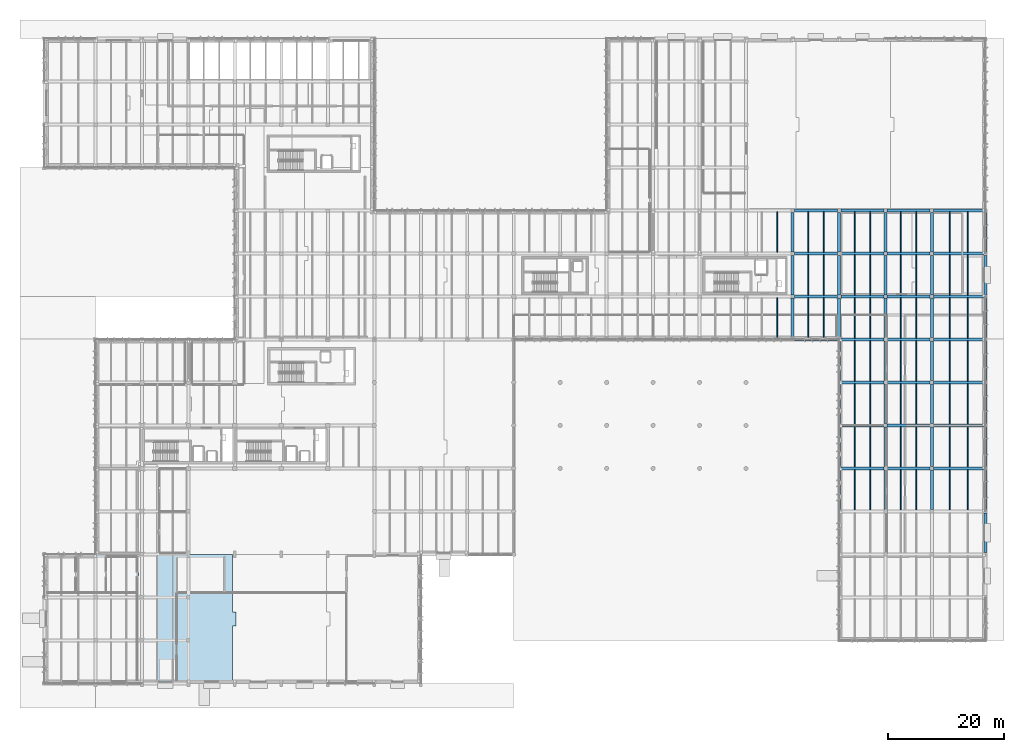
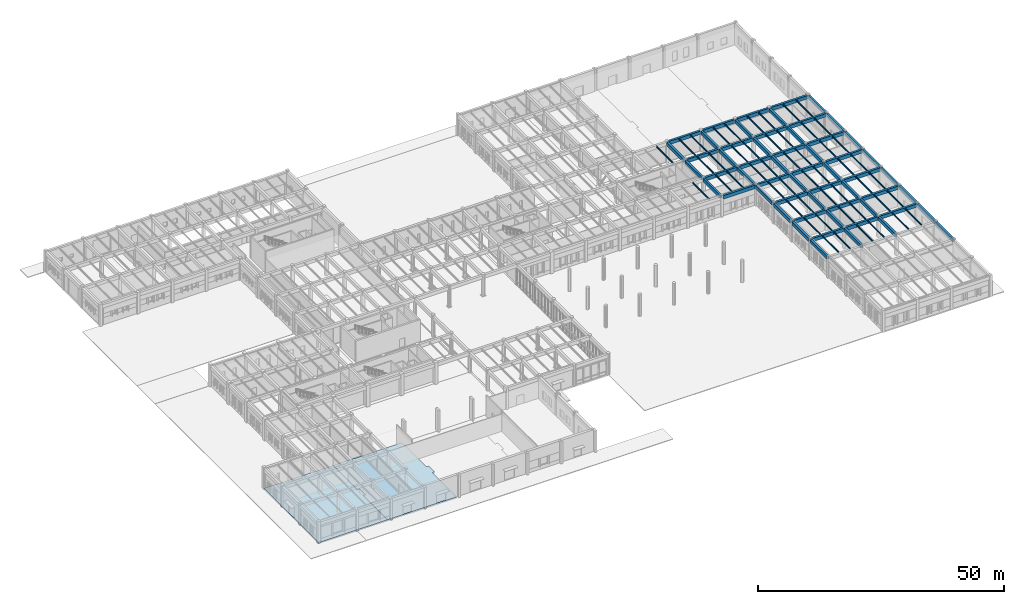
# One storey, part 10 of 56: 107 beams, 2 slabs.
"""IFC4 building model written with IfcOpenShell, lengths in metres."""

from ifc_helpers import new_model, si_unit, direction, frame, origin, origin_2d, place, context, subcontext, project, spatial, polyline, rectangle, i_section, outline, extrude, material, layer, layer_set, material_profile, profile_set, type_object, element, save


model = new_model("IFC4")

# Units and contexts
model_context = context("Model", 3, precision=1e-05, world=origin(), true_north=direction((0.0, 1.0)))
body_context = subcontext(model_context, "Body", "Model", "MODEL_VIEW")
ifc_project = project(units=[si_unit("LENGTHUNIT", "METRE"), si_unit("AREAUNIT", "SQUARE_METRE"), si_unit("VOLUMEUNIT", "CUBIC_METRE"), si_unit("PLANEANGLEUNIT", "RADIAN"), si_unit("MASSUNIT", "GRAM", prefix="KILO")], contexts=[model_context])

# Site, building, storey
site_placement = place(None, origin())
site = spatial("IfcSite", under=ifc_project, at=site_placement, CompositionType="ELEMENT")
building_placement = place(site_placement, origin())
building = spatial("IfcBuilding", under=site, at=building_placement, Name="Valkorina Park Police Headquarters", CompositionType="ELEMENT")
storey_placement = place(building_placement, origin())
storey = spatial("IfcBuildingStorey", under=building, at=storey_placement, Name="L01", CompositionType="ELEMENT", Elevation=0.0)

# Beams
ifc_material_1 = material(Name="Concrete C40/50", Category="concrete")
ifc_material_profile_1 = material_profile(ifc_material_1, rectangle(XDim=0.5, YDim=0.85009765625, at=origin_2d()), Name="RC BEAM 500x850")
ifc_profile_set_1 = profile_set([ifc_material_profile_1], Name="Concrete C40/50")
beam_type_1 = type_object("IfcBeamType", Name="BM-RC-500x850-EXT", PredefinedType="SPANDREL", material=ifc_profile_set_1)
for number, where, z_axis, x_axis, name in (
    (1, (129.10009765625, 59.199951171875, 4.715087890625), (1.0, 0.0, 0.0), (0.0, 1.0, 0.0), "L01 Framing Beam 0778"),
    (2, (129.10009765625, 81.39990234375, 4.715087890625), (1.0, 0.0, 0.0), (0.0, 1.0, 0.0), "L01 Framing Beam 0826"),
    (3, (137.10009765625, 81.39990234375, 4.715087890625), (1.0, 0.0, 0.0), (0.0, 1.0, 0.0), "L01 Framing Beam 0827"),
    (4, (145.10009765625, 81.39990234375, 4.72998046875), (1.0, 0.0, 0.0), (0.0, 1.0, 0.0), "L01 Framing Beam 0828"),
):
    element("IfcBeam", number, at=place(storey_placement, frame(where, z_axis=z_axis, x_axis=x_axis)), inside=storey, type_object=beam_type_1, Name=name, PredefinedType="SPANDREL", context=body_context, shape_type="SweptSolid", body=[
        extrude(rectangle(XDim=0.5, YDim=0.85009765625, at=origin_2d()), origin(), (0.0, 0.0, 1.0), 7.39990234375),
    ])
beam_1_placement = place(storey_placement, frame((153.10009765625, 81.39990234375, 4.72998046875), z_axis=(1.0, 0.0, 0.0), x_axis=(0.0, 1.0, 0.0)))
element("IfcBeam", 5, at=beam_1_placement, inside=storey, type_object=beam_type_1, Name="L01 Framing Beam 0829", PredefinedType="SPANDREL", context=body_context, shape_type="SweptSolid", body=[
    extrude(rectangle(XDim=0.5, YDim=0.85009765625, at=origin_2d()), origin(), (0.0, 0.0, 1.0), 8.599853515625),
])
for number, where, z_axis, x_axis, name in (
    (6, (136.800048828125, 29.89990234375, 4.72998046875), (0.0, 1.0, 0.0), (-1.0, 0.0, 0.0), "L01 Framing Beam 1181"),
    (7, (136.800048828125, 37.300048828125, 4.72998046875), (0.0, 1.0, 0.0), (-1.0, 0.0, 0.0), "L01 Framing Beam 1184"),
    (8, (136.800048828125, 44.699951171875, 4.72998046875), (0.0, 1.0, 0.0), (-1.0, 0.0, 0.0), "L01 Framing Beam 1187"),
):
    element("IfcBeam", number, at=place(storey_placement, frame(where, z_axis=z_axis, x_axis=x_axis)), inside=storey, type_object=beam_type_1, Name=name, PredefinedType="SPANDREL", context=body_context, shape_type="SweptSolid", body=[
        extrude(rectangle(XDim=0.5, YDim=0.85009765625, at=origin_2d()), origin(), (0.0, 0.0, 1.0), 6.800048828125),
    ])
beam_2_placement = place(storey_placement, frame((136.800048828125, 52.10009765625, 4.715087890625), z_axis=(0.0, 1.0, 0.0), x_axis=(-1.0, 0.0, 0.0)))
element("IfcBeam", 9, at=beam_2_placement, inside=storey, type_object=beam_type_1, Name="L01 Framing Beam 1190", PredefinedType="SPANDREL", context=body_context, shape_type="SweptSolid", body=[
    extrude(rectangle(XDim=0.5, YDim=0.85009765625, at=origin_2d()), origin(), (0.0, 0.0, 1.0), 6.7998046875),
])
for number, where, z_axis, x_axis, name in (
    (10, (162.0, 22.5, 4.72998046875), (0.0, 1.0, 0.0), (-1.0, 0.0, 0.0), "L01 Framing Beam 1241"),
    (11, (162.0, 29.89990234375, 4.72998046875), (0.0, 1.0, 0.0), (-1.0, 0.0, 0.0), "L01 Framing Beam 1245"),
    (12, (162.0, 37.300048828125, 4.72998046875), (0.0, 1.0, 0.0), (-1.0, 0.0, 0.0), "L01 Framing Beam 1249"),
    (13, (162.0, 44.699951171875, 4.72998046875), (0.0, 1.0, 0.0), (-1.0, 0.0, 0.0), "L01 Framing Beam 1253"),
):
    element("IfcBeam", number, at=place(storey_placement, frame(where, z_axis=z_axis, x_axis=x_axis)), inside=storey, type_object=beam_type_1, Name=name, PredefinedType="SPANDREL", context=body_context, shape_type="SweptSolid", body=[
        extrude(rectangle(XDim=0.5, YDim=0.85009765625, at=origin_2d()), origin(), (0.0, 0.0, 1.0), 6.800048828125),
    ])
beam_3_placement = place(storey_placement, frame((162.0, 52.10009765625, 4.72998046875), z_axis=(0.0, 1.0, 0.0), x_axis=(-1.0, 0.0, 0.0)))
element("IfcBeam", 14, at=beam_3_placement, inside=storey, type_object=beam_type_1, Name="L01 Framing Beam 1257", PredefinedType="SPANDREL", context=body_context, shape_type="SweptSolid", body=[
    extrude(rectangle(XDim=0.5, YDim=0.85009765625, at=origin_2d()), origin(), (0.0, 0.0, 1.0), 6.7998046875),
])
for number, where, z_axis, x_axis, name in (
    (15, (162.0, 59.5, 4.72998046875), (0.0, 1.0, 0.0), (-1.0, 0.0, 0.0), "L01 Framing Beam 1261"),
    (16, (162.0, 66.89990234375, 4.72998046875), (0.0, 1.0, 0.0), (-1.0, 0.0, 0.0), "L01 Framing Beam 1265"),
    (17, (162.0, 74.300048828125, 4.72998046875), (0.0, 1.0, 0.0), (-1.0, 0.0, 0.0), "L01 Framing Beam 1269"),
):
    element("IfcBeam", number, at=place(storey_placement, frame(where, z_axis=z_axis, x_axis=x_axis)), inside=storey, type_object=beam_type_1, Name=name, PredefinedType="SPANDREL", context=body_context, shape_type="SweptSolid", body=[
        extrude(rectangle(XDim=0.5, YDim=0.85009765625, at=origin_2d()), origin(), (0.0, 0.0, 1.0), 6.800048828125),
    ])
ifc_material_profile_2 = material_profile(ifc_material_1, rectangle(XDim=0.5, YDim=0.85009765625, at=origin_2d()), Name="RC BEAM 500x850")
ifc_profile_set_2 = profile_set([ifc_material_profile_2], Name="Concrete C40/50")
beam_type_2 = type_object("IfcBeamType", Name="BM-RC-500x850-INT", PredefinedType="BEAM", material=ifc_profile_set_2)
for number, where, z_axis, x_axis, name in (
    (18, (137.10009765625, 37.0, 4.72998046875), (1.0, 0.0, 0.0), (0.0, 1.0, 0.0), "L01 Framing Beam 0745"),
    (19, (145.10009765625, 37.0, 4.72998046875), (1.0, 0.0, 0.0), (0.0, 1.0, 0.0), "L01 Framing Beam 0746"),
):
    element("IfcBeam", number, at=place(storey_placement, frame(where, z_axis=z_axis, x_axis=x_axis)), inside=storey, type_object=beam_type_2, Name=name, PredefinedType="BEAM", context=body_context, shape_type="SweptSolid", body=[
        extrude(rectangle(XDim=0.5, YDim=0.85009765625, at=origin_2d()), origin(), (0.0, 0.0, 1.0), 7.39990234375),
    ])
beam_4_placement = place(storey_placement, frame((153.10009765625, 37.0, 4.72998046875), z_axis=(1.0, 0.0, 0.0), x_axis=(0.0, 1.0, 0.0)))
element("IfcBeam", 20, at=beam_4_placement, inside=storey, type_object=beam_type_2, Name="L01 Framing Beam 0747", PredefinedType="BEAM", context=body_context, shape_type="SweptSolid", body=[
    extrude(rectangle(XDim=0.5, YDim=0.85009765625, at=origin_2d()), origin(), (0.0, 0.0, 1.0), 8.599853515625),
])
for number, where, z_axis, x_axis, name in (
    (21, (137.10009765625, 44.39990234375, 4.72998046875), (1.0, 0.0, 0.0), (0.0, 1.0, 0.0), "L01 Framing Beam 0754"),
    (22, (145.10009765625, 44.39990234375, 4.72998046875), (1.0, 0.0, 0.0), (0.0, 1.0, 0.0), "L01 Framing Beam 0755"),
):
    element("IfcBeam", number, at=place(storey_placement, frame(where, z_axis=z_axis, x_axis=x_axis)), inside=storey, type_object=beam_type_2, Name=name, PredefinedType="BEAM", context=body_context, shape_type="SweptSolid", body=[
        extrude(rectangle(XDim=0.5, YDim=0.85009765625, at=origin_2d()), origin(), (0.0, 0.0, 1.0), 7.39990234375),
    ])
beam_5_placement = place(storey_placement, frame((153.10009765625, 44.39990234375, 4.72998046875), z_axis=(1.0, 0.0, 0.0), x_axis=(0.0, 1.0, 0.0)))
element("IfcBeam", 23, at=beam_5_placement, inside=storey, type_object=beam_type_2, Name="L01 Framing Beam 0756", PredefinedType="BEAM", context=body_context, shape_type="SweptSolid", body=[
    extrude(rectangle(XDim=0.5, YDim=0.85009765625, at=origin_2d()), origin(), (0.0, 0.0, 1.0), 8.599853515625),
])
for number, where, z_axis, x_axis, name in (
    (24, (137.10009765625, 51.800048828125, 4.72998046875), (1.0, 0.0, 0.0), (0.0, 1.0, 0.0), "L01 Framing Beam 0760"),
    (25, (145.10009765625, 51.800048828125, 4.72998046875), (1.0, 0.0, 0.0), (0.0, 1.0, 0.0), "L01 Framing Beam 0761"),
):
    element("IfcBeam", number, at=place(storey_placement, frame(where, z_axis=z_axis, x_axis=x_axis)), inside=storey, type_object=beam_type_2, Name=name, PredefinedType="BEAM", context=body_context, shape_type="SweptSolid", body=[
        extrude(rectangle(XDim=0.5, YDim=0.85009765625, at=origin_2d()), origin(), (0.0, 0.0, 1.0), 7.39990234375),
    ])
beam_6_placement = place(storey_placement, frame((153.10009765625, 51.800048828125, 4.72998046875), z_axis=(1.0, 0.0, 0.0), x_axis=(0.0, 1.0, 0.0)))
element("IfcBeam", 26, at=beam_6_placement, inside=storey, type_object=beam_type_2, Name="L01 Framing Beam 0762", PredefinedType="BEAM", context=body_context, shape_type="SweptSolid", body=[
    extrude(rectangle(XDim=0.5, YDim=0.85009765625, at=origin_2d()), origin(), (0.0, 0.0, 1.0), 8.599853515625),
])
for number, where, z_axis, x_axis, name in (
    (27, (137.10009765625, 59.199951171875, 4.715087890625), (1.0, 0.0, 0.0), (0.0, 1.0, 0.0), "L01 Framing Beam 0779"),
    (28, (145.10009765625, 59.199951171875, 4.72998046875), (1.0, 0.0, 0.0), (0.0, 1.0, 0.0), "L01 Framing Beam 0780"),
):
    element("IfcBeam", number, at=place(storey_placement, frame(where, z_axis=z_axis, x_axis=x_axis)), inside=storey, type_object=beam_type_2, Name=name, PredefinedType="BEAM", context=body_context, shape_type="SweptSolid", body=[
        extrude(rectangle(XDim=0.5, YDim=0.85009765625, at=origin_2d()), origin(), (0.0, 0.0, 1.0), 7.39990234375),
    ])
beam_7_placement = place(storey_placement, frame((153.10009765625, 59.199951171875, 4.72998046875), z_axis=(1.0, 0.0, 0.0), x_axis=(0.0, 1.0, 0.0)))
element("IfcBeam", 29, at=beam_7_placement, inside=storey, type_object=beam_type_2, Name="L01 Framing Beam 0781", PredefinedType="BEAM", context=body_context, shape_type="SweptSolid", body=[
    extrude(rectangle(XDim=0.5, YDim=0.85009765625, at=origin_2d()), origin(), (0.0, 0.0, 1.0), 8.599853515625),
])
for number, where, z_axis, x_axis, name in (
    (30, (129.10009765625, 66.60009765625, 4.715087890625), (1.0, 0.0, 0.0), (0.0, 1.0, 0.0), "L01 Framing Beam 0794"),
    (31, (137.10009765625, 66.60009765625, 4.715087890625), (1.0, 0.0, 0.0), (0.0, 1.0, 0.0), "L01 Framing Beam 0795"),
    (32, (145.10009765625, 66.60009765625, 4.72998046875), (1.0, 0.0, 0.0), (0.0, 1.0, 0.0), "L01 Framing Beam 0796"),
):
    element("IfcBeam", number, at=place(storey_placement, frame(where, z_axis=z_axis, x_axis=x_axis)), inside=storey, type_object=beam_type_2, Name=name, PredefinedType="BEAM", context=body_context, shape_type="SweptSolid", body=[
        extrude(rectangle(XDim=0.5, YDim=0.85009765625, at=origin_2d()), origin(), (0.0, 0.0, 1.0), 7.39990234375),
    ])
beam_8_placement = place(storey_placement, frame((153.10009765625, 66.60009765625, 4.72998046875), z_axis=(1.0, 0.0, 0.0), x_axis=(0.0, 1.0, 0.0)))
element("IfcBeam", 33, at=beam_8_placement, inside=storey, type_object=beam_type_2, Name="L01 Framing Beam 0797", PredefinedType="BEAM", context=body_context, shape_type="SweptSolid", body=[
    extrude(rectangle(XDim=0.5, YDim=0.85009765625, at=origin_2d()), origin(), (0.0, 0.0, 1.0), 8.599853515625),
])
for number, where, z_axis, x_axis, name in (
    (34, (129.10009765625, 74.0, 4.715087890625), (1.0, 0.0, 0.0), (0.0, 1.0, 0.0), "L01 Framing Beam 0810"),
    (35, (137.10009765625, 74.0, 4.715087890625), (1.0, 0.0, 0.0), (0.0, 1.0, 0.0), "L01 Framing Beam 0811"),
    (36, (145.10009765625, 74.0, 4.72998046875), (1.0, 0.0, 0.0), (0.0, 1.0, 0.0), "L01 Framing Beam 0812"),
):
    element("IfcBeam", number, at=place(storey_placement, frame(where, z_axis=z_axis, x_axis=x_axis)), inside=storey, type_object=beam_type_2, Name=name, PredefinedType="BEAM", context=body_context, shape_type="SweptSolid", body=[
        extrude(rectangle(XDim=0.5, YDim=0.85009765625, at=origin_2d()), origin(), (0.0, 0.0, 1.0), 7.39990234375),
    ])
beam_9_placement = place(storey_placement, frame((153.10009765625, 74.0, 4.72998046875), z_axis=(1.0, 0.0, 0.0), x_axis=(0.0, 1.0, 0.0)))
element("IfcBeam", 37, at=beam_9_placement, inside=storey, type_object=beam_type_2, Name="L01 Framing Beam 0813", PredefinedType="BEAM", context=body_context, shape_type="SweptSolid", body=[
    extrude(rectangle(XDim=0.5, YDim=0.85009765625, at=origin_2d()), origin(), (0.0, 0.0, 1.0), 8.599853515625),
])
for number, where, z_axis, x_axis, name in (
    (38, (128.800048828125, 59.5, 4.715087890625), (0.0, 1.0, 0.0), (-1.0, 0.0, 0.0), "L01 Framing Beam 1163"),
    (39, (128.800048828125, 66.89990234375, 4.715087890625), (0.0, 1.0, 0.0), (-1.0, 0.0, 0.0), "L01 Framing Beam 1166"),
    (40, (128.800048828125, 74.300048828125, 4.715087890625), (0.0, 1.0, 0.0), (-1.0, 0.0, 0.0), "L01 Framing Beam 1169"),
    (41, (136.800048828125, 59.5, 4.715087890625), (0.0, 1.0, 0.0), (-1.0, 0.0, 0.0), "L01 Framing Beam 1193"),
    (42, (136.800048828125, 66.89990234375, 4.715087890625), (0.0, 1.0, 0.0), (-1.0, 0.0, 0.0), "L01 Framing Beam 1196"),
    (43, (136.800048828125, 74.300048828125, 4.715087890625), (0.0, 1.0, 0.0), (-1.0, 0.0, 0.0), "L01 Framing Beam 1199"),
    (44, (144.800048828125, 29.89990234375, 4.72998046875), (0.0, 1.0, 0.0), (-1.0, 0.0, 0.0), "L01 Framing Beam 1211"),
    (45, (144.800048828125, 37.300048828125, 4.72998046875), (0.0, 1.0, 0.0), (-1.0, 0.0, 0.0), "L01 Framing Beam 1214"),
    (46, (144.800048828125, 44.699951171875, 4.72998046875), (0.0, 1.0, 0.0), (-1.0, 0.0, 0.0), "L01 Framing Beam 1217"),
):
    element("IfcBeam", number, at=place(storey_placement, frame(where, z_axis=z_axis, x_axis=x_axis)), inside=storey, type_object=beam_type_2, Name=name, PredefinedType="BEAM", context=body_context, shape_type="SweptSolid", body=[
        extrude(rectangle(XDim=0.5, YDim=0.85009765625, at=origin_2d()), origin(), (0.0, 0.0, 1.0), 6.800048828125),
    ])
beam_10_placement = place(storey_placement, frame((144.800048828125, 52.10009765625, 4.72998046875), z_axis=(0.0, 1.0, 0.0), x_axis=(-1.0, 0.0, 0.0)))
element("IfcBeam", 47, at=beam_10_placement, inside=storey, type_object=beam_type_2, Name="L01 Framing Beam 1220", PredefinedType="BEAM", context=body_context, shape_type="SweptSolid", body=[
    extrude(rectangle(XDim=0.5, YDim=0.85009765625, at=origin_2d()), origin(), (0.0, 0.0, 1.0), 6.7998046875),
])
for number, where, z_axis, x_axis, name in (
    (48, (144.800048828125, 59.5, 4.72998046875), (0.0, 1.0, 0.0), (-1.0, 0.0, 0.0), "L01 Framing Beam 1223"),
    (49, (144.800048828125, 66.89990234375, 4.72998046875), (0.0, 1.0, 0.0), (-1.0, 0.0, 0.0), "L01 Framing Beam 1226"),
    (50, (144.800048828125, 74.300048828125, 4.72998046875), (0.0, 1.0, 0.0), (-1.0, 0.0, 0.0), "L01 Framing Beam 1229"),
    (51, (152.800048828125, 29.89990234375, 4.72998046875), (0.0, 1.0, 0.0), (-1.0, 0.0, 0.0), "L01 Framing Beam 1244"),
    (52, (152.800048828125, 37.300048828125, 4.72998046875), (0.0, 1.0, 0.0), (-1.0, 0.0, 0.0), "L01 Framing Beam 1248"),
    (53, (152.800048828125, 44.699951171875, 4.72998046875), (0.0, 1.0, 0.0), (-1.0, 0.0, 0.0), "L01 Framing Beam 1252"),
):
    element("IfcBeam", number, at=place(storey_placement, frame(where, z_axis=z_axis, x_axis=x_axis)), inside=storey, type_object=beam_type_2, Name=name, PredefinedType="BEAM", context=body_context, shape_type="SweptSolid", body=[
        extrude(rectangle(XDim=0.5, YDim=0.85009765625, at=origin_2d()), origin(), (0.0, 0.0, 1.0), 6.800048828125),
    ])
beam_11_placement = place(storey_placement, frame((152.800048828125, 52.10009765625, 4.72998046875), z_axis=(0.0, 1.0, 0.0), x_axis=(-1.0, 0.0, 0.0)))
element("IfcBeam", 54, at=beam_11_placement, inside=storey, type_object=beam_type_2, Name="L01 Framing Beam 1256", PredefinedType="BEAM", context=body_context, shape_type="SweptSolid", body=[
    extrude(rectangle(XDim=0.5, YDim=0.85009765625, at=origin_2d()), origin(), (0.0, 0.0, 1.0), 6.7998046875),
])
for number, where, z_axis, x_axis, name in (
    (55, (152.800048828125, 59.5, 4.72998046875), (0.0, 1.0, 0.0), (-1.0, 0.0, 0.0), "L01 Framing Beam 1260"),
    (56, (152.800048828125, 66.89990234375, 4.72998046875), (0.0, 1.0, 0.0), (-1.0, 0.0, 0.0), "L01 Framing Beam 1264"),
    (57, (152.800048828125, 74.300048828125, 4.72998046875), (0.0, 1.0, 0.0), (-1.0, 0.0, 0.0), "L01 Framing Beam 1268"),
):
    element("IfcBeam", number, at=place(storey_placement, frame(where, z_axis=z_axis, x_axis=x_axis)), inside=storey, type_object=beam_type_2, Name=name, PredefinedType="BEAM", context=body_context, shape_type="SweptSolid", body=[
        extrude(rectangle(XDim=0.5, YDim=0.85009765625, at=origin_2d()), origin(), (0.0, 0.0, 1.0), 6.800048828125),
    ])
ifc_material_2 = material(Name="Steel S355", Category="steel")
ifc_material_profile_3 = material_profile(ifc_material_2, i_section(OverallWidth=0.169921875, OverallDepth=0.360107421875, WebThickness=0.008056640625, FlangeThickness=0.0126953125, FilletRadius=0.01806640625, at=origin_2d()), Name="IPE 360")
ifc_profile_set_3 = profile_set([ifc_material_profile_3], Name="Steel S355")
beam_type_3 = type_object("IfcBeamType", Name="BM-S355-IPE360-JST", PredefinedType="JOIST", material=ifc_profile_set_3)
beam_12_placement = place(storey_placement, frame((126.13330078125, 59.449951171875, 4.9599609375), z_axis=(0.0, 1.0, 0.0), x_axis=(-1.0, 0.0, 0.0)))
element("IfcBeam", 58, at=beam_12_placement, inside=storey, type_object=beam_type_3, Name="L01 Framing Beam 1155", PredefinedType="JOIST", context=body_context, shape_type="SweptSolid", body=[
    extrude(i_section(OverallWidth=0.169921875, OverallDepth=0.360107421875, WebThickness=0.008056640625, FlangeThickness=0.0126953125, FilletRadius=0.01806640625, at=origin_2d()), origin(), (0.0, 0.0, 1.0), 6.900146484375),
])
beam_13_placement = place(storey_placement, frame((126.13330078125, 74.25, 4.9599609375), z_axis=(0.0, 1.0, 0.0), x_axis=(-1.0, 0.0, 0.0)))
element("IfcBeam", 59, at=beam_13_placement, inside=storey, type_object=beam_type_3, Name="L01 Framing Beam 1158", PredefinedType="JOIST", context=body_context, shape_type="SweptSolid", body=[
    extrude(i_section(OverallWidth=0.169921875, OverallDepth=0.360107421875, WebThickness=0.008056640625, FlangeThickness=0.0126953125, FilletRadius=0.01806640625, at=origin_2d()), origin(), (0.0, 0.0, 1.0), 6.89990234375),
])
for number, where, z_axis, x_axis, name in (
    (60, (131.466796875, 59.449951171875, 4.9599609375), (0.0, 1.0, 0.0), (-1.0, 0.0, 0.0), "L01 Framing Beam 1164"),
    (61, (134.13330078125, 59.449951171875, 4.9599609375), (0.0, 1.0, 0.0), (-1.0, 0.0, 0.0), "L01 Framing Beam 1165"),
):
    element("IfcBeam", number, at=place(storey_placement, frame(where, z_axis=z_axis, x_axis=x_axis)), inside=storey, type_object=beam_type_3, Name=name, PredefinedType="JOIST", context=body_context, shape_type="SweptSolid", body=[
        extrude(i_section(OverallWidth=0.169921875, OverallDepth=0.360107421875, WebThickness=0.008056640625, FlangeThickness=0.0126953125, FilletRadius=0.01806640625, at=origin_2d()), origin(), (0.0, 0.0, 1.0), 6.900146484375),
    ])
for number, where, z_axis, x_axis, name in (
    (62, (131.466796875, 66.85009765625, 4.9599609375), (0.0, 1.0, 0.0), (-1.0, 0.0, 0.0), "L01 Framing Beam 1167"),
    (63, (134.13330078125, 66.85009765625, 4.9599609375), (0.0, 1.0, 0.0), (-1.0, 0.0, 0.0), "L01 Framing Beam 1168"),
    (64, (131.466796875, 74.25, 4.9599609375), (0.0, 1.0, 0.0), (-1.0, 0.0, 0.0), "L01 Framing Beam 1170"),
    (65, (134.13330078125, 74.25, 4.9599609375), (0.0, 1.0, 0.0), (-1.0, 0.0, 0.0), "L01 Framing Beam 1171"),
    (66, (139.466796875, 29.85009765625, 4.97509765625), (0.0, 1.0, 0.0), (-1.0, 0.0, 0.0), "L01 Framing Beam 1182"),
    (67, (142.13330078125, 29.85009765625, 4.97509765625), (0.0, 1.0, 0.0), (-1.0, 0.0, 0.0), "L01 Framing Beam 1183"),
    (68, (139.466796875, 37.25, 4.97509765625), (0.0, 1.0, 0.0), (-1.0, 0.0, 0.0), "L01 Framing Beam 1185"),
    (69, (142.13330078125, 37.25, 4.97509765625), (0.0, 1.0, 0.0), (-1.0, 0.0, 0.0), "L01 Framing Beam 1186"),
):
    element("IfcBeam", number, at=place(storey_placement, frame(where, z_axis=z_axis, x_axis=x_axis)), inside=storey, type_object=beam_type_3, Name=name, PredefinedType="JOIST", context=body_context, shape_type="SweptSolid", body=[
        extrude(i_section(OverallWidth=0.169921875, OverallDepth=0.360107421875, WebThickness=0.008056640625, FlangeThickness=0.0126953125, FilletRadius=0.01806640625, at=origin_2d()), origin(), (0.0, 0.0, 1.0), 6.89990234375),
    ])
for number, where, z_axis, x_axis, name in (
    (70, (139.466796875, 44.64990234375, 4.97509765625), (0.0, 1.0, 0.0), (-1.0, 0.0, 0.0), "L01 Framing Beam 1188"),
    (71, (142.13330078125, 44.64990234375, 4.97509765625), (0.0, 1.0, 0.0), (-1.0, 0.0, 0.0), "L01 Framing Beam 1189"),
):
    element("IfcBeam", number, at=place(storey_placement, frame(where, z_axis=z_axis, x_axis=x_axis)), inside=storey, type_object=beam_type_3, Name=name, PredefinedType="JOIST", context=body_context, shape_type="SweptSolid", body=[
        extrude(i_section(OverallWidth=0.169921875, OverallDepth=0.360107421875, WebThickness=0.008056640625, FlangeThickness=0.0126953125, FilletRadius=0.01806640625, at=origin_2d()), origin(), (0.0, 0.0, 1.0), 6.900146484375),
    ])
for number, where, z_axis, x_axis, name in (
    (72, (139.466796875, 52.050048828125, 4.97509765625), (0.0, 1.0, 0.0), (-1.0, 0.0, 0.0), "L01 Framing Beam 1191"),
    (73, (142.13330078125, 52.050048828125, 4.97509765625), (0.0, 1.0, 0.0), (-1.0, 0.0, 0.0), "L01 Framing Beam 1192"),
):
    element("IfcBeam", number, at=place(storey_placement, frame(where, z_axis=z_axis, x_axis=x_axis)), inside=storey, type_object=beam_type_3, Name=name, PredefinedType="JOIST", context=body_context, shape_type="SweptSolid", body=[
        extrude(i_section(OverallWidth=0.169921875, OverallDepth=0.360107421875, WebThickness=0.008056640625, FlangeThickness=0.0126953125, FilletRadius=0.01806640625, at=origin_2d()), origin(), (0.0, 0.0, 1.0), 6.89990234375),
    ])
for number, where, z_axis, x_axis, name in (
    (74, (139.466796875, 59.449951171875, 4.97509765625), (0.0, 1.0, 0.0), (-1.0, 0.0, 0.0), "L01 Framing Beam 1194"),
    (75, (142.13330078125, 59.449951171875, 4.97509765625), (0.0, 1.0, 0.0), (-1.0, 0.0, 0.0), "L01 Framing Beam 1195"),
):
    element("IfcBeam", number, at=place(storey_placement, frame(where, z_axis=z_axis, x_axis=x_axis)), inside=storey, type_object=beam_type_3, Name=name, PredefinedType="JOIST", context=body_context, shape_type="SweptSolid", body=[
        extrude(i_section(OverallWidth=0.169921875, OverallDepth=0.360107421875, WebThickness=0.008056640625, FlangeThickness=0.0126953125, FilletRadius=0.01806640625, at=origin_2d()), origin(), (0.0, 0.0, 1.0), 6.900146484375),
    ])
for number, where, z_axis, x_axis, name in (
    (76, (139.466796875, 66.85009765625, 4.97509765625), (0.0, 1.0, 0.0), (-1.0, 0.0, 0.0), "L01 Framing Beam 1197"),
    (77, (142.13330078125, 66.85009765625, 4.97509765625), (0.0, 1.0, 0.0), (-1.0, 0.0, 0.0), "L01 Framing Beam 1198"),
    (78, (139.466796875, 74.25, 4.97509765625), (0.0, 1.0, 0.0), (-1.0, 0.0, 0.0), "L01 Framing Beam 1200"),
    (79, (142.13330078125, 74.25, 4.97509765625), (0.0, 1.0, 0.0), (-1.0, 0.0, 0.0), "L01 Framing Beam 1201"),
    (80, (147.466796875, 29.85009765625, 4.97509765625), (0.0, 1.0, 0.0), (-1.0, 0.0, 0.0), "L01 Framing Beam 1212"),
    (81, (150.13330078125, 29.85009765625, 4.97509765625), (0.0, 1.0, 0.0), (-1.0, 0.0, 0.0), "L01 Framing Beam 1213"),
    (82, (147.466796875, 37.25, 4.97509765625), (0.0, 1.0, 0.0), (-1.0, 0.0, 0.0), "L01 Framing Beam 1215"),
    (83, (150.13330078125, 37.25, 4.97509765625), (0.0, 1.0, 0.0), (-1.0, 0.0, 0.0), "L01 Framing Beam 1216"),
):
    element("IfcBeam", number, at=place(storey_placement, frame(where, z_axis=z_axis, x_axis=x_axis)), inside=storey, type_object=beam_type_3, Name=name, PredefinedType="JOIST", context=body_context, shape_type="SweptSolid", body=[
        extrude(i_section(OverallWidth=0.169921875, OverallDepth=0.360107421875, WebThickness=0.008056640625, FlangeThickness=0.0126953125, FilletRadius=0.01806640625, at=origin_2d()), origin(), (0.0, 0.0, 1.0), 6.89990234375),
    ])
for number, where, z_axis, x_axis, name in (
    (84, (147.466796875, 44.64990234375, 4.97509765625), (0.0, 1.0, 0.0), (-1.0, 0.0, 0.0), "L01 Framing Beam 1218"),
    (85, (150.13330078125, 44.64990234375, 4.97509765625), (0.0, 1.0, 0.0), (-1.0, 0.0, 0.0), "L01 Framing Beam 1219"),
):
    element("IfcBeam", number, at=place(storey_placement, frame(where, z_axis=z_axis, x_axis=x_axis)), inside=storey, type_object=beam_type_3, Name=name, PredefinedType="JOIST", context=body_context, shape_type="SweptSolid", body=[
        extrude(i_section(OverallWidth=0.169921875, OverallDepth=0.360107421875, WebThickness=0.008056640625, FlangeThickness=0.0126953125, FilletRadius=0.01806640625, at=origin_2d()), origin(), (0.0, 0.0, 1.0), 6.900146484375),
    ])
for number, where, z_axis, x_axis, name in (
    (86, (147.466796875, 52.050048828125, 4.97509765625), (0.0, 1.0, 0.0), (-1.0, 0.0, 0.0), "L01 Framing Beam 1221"),
    (87, (150.13330078125, 52.050048828125, 4.97509765625), (0.0, 1.0, 0.0), (-1.0, 0.0, 0.0), "L01 Framing Beam 1222"),
):
    element("IfcBeam", number, at=place(storey_placement, frame(where, z_axis=z_axis, x_axis=x_axis)), inside=storey, type_object=beam_type_3, Name=name, PredefinedType="JOIST", context=body_context, shape_type="SweptSolid", body=[
        extrude(i_section(OverallWidth=0.169921875, OverallDepth=0.360107421875, WebThickness=0.008056640625, FlangeThickness=0.0126953125, FilletRadius=0.01806640625, at=origin_2d()), origin(), (0.0, 0.0, 1.0), 6.89990234375),
    ])
for number, where, z_axis, x_axis, name in (
    (88, (147.466796875, 59.449951171875, 4.97509765625), (0.0, 1.0, 0.0), (-1.0, 0.0, 0.0), "L01 Framing Beam 1224"),
    (89, (150.13330078125, 59.449951171875, 4.97509765625), (0.0, 1.0, 0.0), (-1.0, 0.0, 0.0), "L01 Framing Beam 1225"),
):
    element("IfcBeam", number, at=place(storey_placement, frame(where, z_axis=z_axis, x_axis=x_axis)), inside=storey, type_object=beam_type_3, Name=name, PredefinedType="JOIST", context=body_context, shape_type="SweptSolid", body=[
        extrude(i_section(OverallWidth=0.169921875, OverallDepth=0.360107421875, WebThickness=0.008056640625, FlangeThickness=0.0126953125, FilletRadius=0.01806640625, at=origin_2d()), origin(), (0.0, 0.0, 1.0), 6.900146484375),
    ])
for number, where, z_axis, x_axis, name in (
    (90, (147.466796875, 66.85009765625, 4.97509765625), (0.0, 1.0, 0.0), (-1.0, 0.0, 0.0), "L01 Framing Beam 1227"),
    (91, (150.13330078125, 66.85009765625, 4.97509765625), (0.0, 1.0, 0.0), (-1.0, 0.0, 0.0), "L01 Framing Beam 1228"),
    (92, (147.466796875, 74.25, 4.97509765625), (0.0, 1.0, 0.0), (-1.0, 0.0, 0.0), "L01 Framing Beam 1230"),
    (93, (150.13330078125, 74.25, 4.97509765625), (0.0, 1.0, 0.0), (-1.0, 0.0, 0.0), "L01 Framing Beam 1231"),
    (94, (155.86669921875, 29.85009765625, 4.97509765625), (0.0, 1.0, 0.0), (-1.0, 0.0, 0.0), "L01 Framing Beam 1246"),
    (95, (158.933349609375, 29.85009765625, 4.97509765625), (0.0, 1.0, 0.0), (-1.0, 0.0, 0.0), "L01 Framing Beam 1247"),
    (96, (155.86669921875, 37.25, 4.97509765625), (0.0, 1.0, 0.0), (-1.0, 0.0, 0.0), "L01 Framing Beam 1250"),
    (97, (158.933349609375, 37.25, 4.97509765625), (0.0, 1.0, 0.0), (-1.0, 0.0, 0.0), "L01 Framing Beam 1251"),
):
    element("IfcBeam", number, at=place(storey_placement, frame(where, z_axis=z_axis, x_axis=x_axis)), inside=storey, type_object=beam_type_3, Name=name, PredefinedType="JOIST", context=body_context, shape_type="SweptSolid", body=[
        extrude(i_section(OverallWidth=0.169921875, OverallDepth=0.360107421875, WebThickness=0.008056640625, FlangeThickness=0.0126953125, FilletRadius=0.01806640625, at=origin_2d()), origin(), (0.0, 0.0, 1.0), 6.89990234375),
    ])
for number, where, z_axis, x_axis, name in (
    (98, (155.86669921875, 44.64990234375, 4.97509765625), (0.0, 1.0, 0.0), (-1.0, 0.0, 0.0), "L01 Framing Beam 1254"),
    (99, (158.933349609375, 44.64990234375, 4.97509765625), (0.0, 1.0, 0.0), (-1.0, 0.0, 0.0), "L01 Framing Beam 1255"),
):
    element("IfcBeam", number, at=place(storey_placement, frame(where, z_axis=z_axis, x_axis=x_axis)), inside=storey, type_object=beam_type_3, Name=name, PredefinedType="JOIST", context=body_context, shape_type="SweptSolid", body=[
        extrude(i_section(OverallWidth=0.169921875, OverallDepth=0.360107421875, WebThickness=0.008056640625, FlangeThickness=0.0126953125, FilletRadius=0.01806640625, at=origin_2d()), origin(), (0.0, 0.0, 1.0), 6.900146484375),
    ])
for number, where, z_axis, x_axis, name in (
    (100, (155.86669921875, 52.050048828125, 4.97509765625), (0.0, 1.0, 0.0), (-1.0, 0.0, 0.0), "L01 Framing Beam 1258"),
    (101, (158.933349609375, 52.050048828125, 4.97509765625), (0.0, 1.0, 0.0), (-1.0, 0.0, 0.0), "L01 Framing Beam 1259"),
):
    element("IfcBeam", number, at=place(storey_placement, frame(where, z_axis=z_axis, x_axis=x_axis)), inside=storey, type_object=beam_type_3, Name=name, PredefinedType="JOIST", context=body_context, shape_type="SweptSolid", body=[
        extrude(i_section(OverallWidth=0.169921875, OverallDepth=0.360107421875, WebThickness=0.008056640625, FlangeThickness=0.0126953125, FilletRadius=0.01806640625, at=origin_2d()), origin(), (0.0, 0.0, 1.0), 6.89990234375),
    ])
for number, where, z_axis, x_axis, name in (
    (102, (155.86669921875, 59.449951171875, 4.97509765625), (0.0, 1.0, 0.0), (-1.0, 0.0, 0.0), "L01 Framing Beam 1262"),
    (103, (158.933349609375, 59.449951171875, 4.97509765625), (0.0, 1.0, 0.0), (-1.0, 0.0, 0.0), "L01 Framing Beam 1263"),
):
    element("IfcBeam", number, at=place(storey_placement, frame(where, z_axis=z_axis, x_axis=x_axis)), inside=storey, type_object=beam_type_3, Name=name, PredefinedType="JOIST", context=body_context, shape_type="SweptSolid", body=[
        extrude(i_section(OverallWidth=0.169921875, OverallDepth=0.360107421875, WebThickness=0.008056640625, FlangeThickness=0.0126953125, FilletRadius=0.01806640625, at=origin_2d()), origin(), (0.0, 0.0, 1.0), 6.900146484375),
    ])
for number, where, z_axis, x_axis, name in (
    (104, (155.86669921875, 66.85009765625, 4.97509765625), (0.0, 1.0, 0.0), (-1.0, 0.0, 0.0), "L01 Framing Beam 1266"),
    (105, (158.933349609375, 66.85009765625, 4.97509765625), (0.0, 1.0, 0.0), (-1.0, 0.0, 0.0), "L01 Framing Beam 1267"),
    (106, (155.86669921875, 74.25, 4.97509765625), (0.0, 1.0, 0.0), (-1.0, 0.0, 0.0), "L01 Framing Beam 1270"),
    (107, (158.933349609375, 74.25, 4.97509765625), (0.0, 1.0, 0.0), (-1.0, 0.0, 0.0), "L01 Framing Beam 1271"),
):
    element("IfcBeam", number, at=place(storey_placement, frame(where, z_axis=z_axis, x_axis=x_axis)), inside=storey, type_object=beam_type_3, Name=name, PredefinedType="JOIST", context=body_context, shape_type="SweptSolid", body=[
        extrude(i_section(OverallWidth=0.169921875, OverallDepth=0.360107421875, WebThickness=0.008056640625, FlangeThickness=0.0126953125, FilletRadius=0.01806640625, at=origin_2d()), origin(), (0.0, 0.0, 1.0), 6.89990234375),
    ])

# Slabs
ifc_layer = layer(ifc_material_1, 0.35009765625)
ifc_layer_set = layer_set([ifc_layer], Name="Concrete C40/50")
slab_type = type_object("IfcSlabType", Name="SL-PODIUM-HVY-350", PredefinedType="FLOOR", material=ifc_layer_set)
slab_1_placement = place(storey_placement, frame((0.0, 0.0, -0.35009765625)))
element("IfcSlab", 108, at=slab_1_placement, inside=storey, type_object=slab_type, Name="L01 Structural Floor Slab 1", PredefinedType="FLOOR", context=body_context, shape_type="SweptSolid", body=[
    extrude(outline(polyline([(16.199951171875, 0.0), (16.199951171875, 9.89990234375), (16.75, 9.89990234375), (16.75, 12.300048828125), (16.199951171875, 12.300048828125), (16.199951171875, 22.199951171875), (0.0, 22.199951171875), (0.0, 0.0), (16.199951171875, 0.0)])), origin(), (0.0, 0.0, 1.0), 0.35009765625),
])
slab_2_placement = place(storey_placement, frame((0.0, 0.0, -0.35009765625)))
element("IfcSlab", 109, at=slab_2_placement, inside=storey, type_object=slab_type, Name="L01 Structural Floor Slab 2", PredefinedType="FLOOR", context=body_context, shape_type="SweptSolid", body=[
    extrude(outline(polyline([(32.39990234375, 22.199951171875), (16.199951171875, 22.199951171875), (16.199951171875, 12.300048828125), (16.75, 12.300048828125), (16.75, 9.89990234375), (16.199951171875, 9.89990234375), (16.199951171875, 0.0), (32.39990234375, 0.0), (32.39990234375, 9.89990234375), (32.949951171875, 9.89990234375), (32.949951171875, 12.300048828125), (32.39990234375, 12.300048828125), (32.39990234375, 22.199951171875)])), origin(), (0.0, 0.0, 1.0), 0.35009765625),
])

save(model, "model.ifc")
